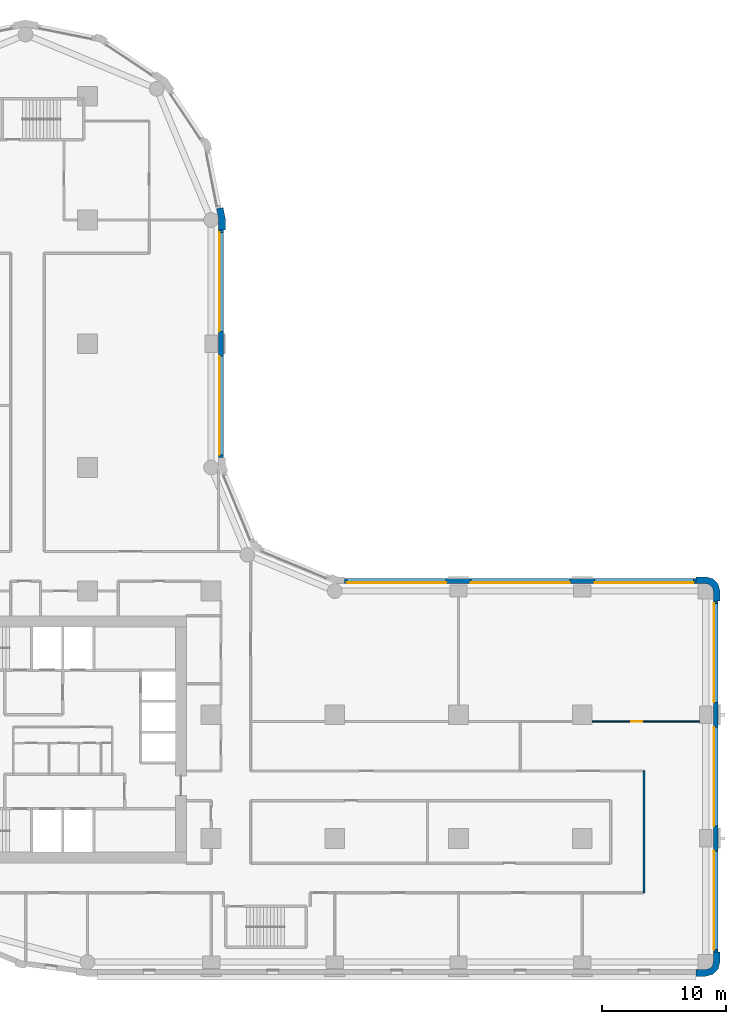
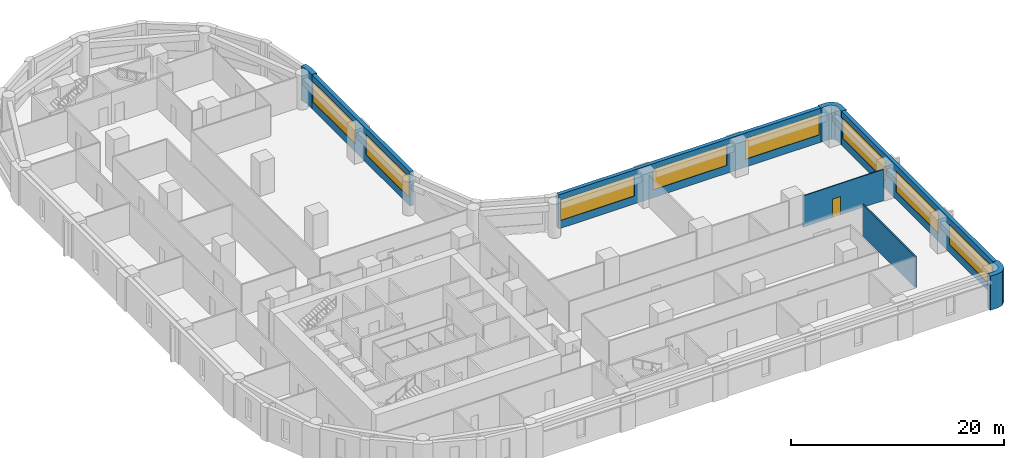
# One storey, part 7 of 11: 8 walls, 8 windows, 1 door, 9 openings.
"""IFC4 building model written with IfcOpenShell, lengths in metres."""

from ifc_helpers import new_model, si_unit, direction, frame, frame_2d, origin, place, context, subcontext, project, spatial, polyline, rectangle, outline, extrude, material, layer, layer_set, type_object, element, fill, save


model = new_model("IFC4")

# Units and contexts
model_context = context("Model", 3, precision=1e-05, world=origin(), true_north=direction((0.0, 1.0)))
body_context = subcontext(model_context, "Body", "Model", "MODEL_VIEW")
ifc_project = project(units=[si_unit("LENGTHUNIT", "METRE"), si_unit("AREAUNIT", "SQUARE_METRE"), si_unit("VOLUMEUNIT", "CUBIC_METRE"), si_unit("PLANEANGLEUNIT", "RADIAN"), si_unit("MASSUNIT", "GRAM", prefix="KILO")], contexts=[model_context])

# Site, building, storey
site_placement = place(None, origin())
site = spatial("IfcSite", under=ifc_project, at=site_placement, CompositionType="ELEMENT")
building_placement = place(site_placement, origin())
building = spatial("IfcBuilding", under=site, at=building_placement, Name="Qaws Garden Tower", CompositionType="ELEMENT")
storey_placement = place(building_placement, frame((0.0, 0.0, 27.60009765625)))
storey = spatial("IfcBuildingStorey", under=building, at=storey_placement, Name="L06", CompositionType="ELEMENT", Elevation=27.60009765625)

# Walls
ifc_material_1 = material(Name="Clay facing brick masonry", Category="masonry")
ifc_layer_1 = layer(ifc_material_1, 0.550048828125)
ifc_layer_set_1 = layer_set([ifc_layer_1], Name="Clay facing brick masonry")
wall_type_1 = type_object("IfcWallType", Name="Brick corner pier 550 x 2400", PredefinedType="SOLIDWALL", material=ifc_layer_set_1)
placement = place(storey_placement, origin())
element("IfcWall", 1, at=placement, inside=storey, type_object=wall_type_1, Name="E-L06-pier-05", PredefinedType="SOLIDWALL", context=body_context, shape_type="SweptSolid", body=[
    extrude(outline(polyline([(69.199951171875, -1.0), (69.199951171875, -1.14990234375), (70.0, -1.14990234375), (70.574951171875, -0.995849609375), (70.995849609375, -0.574951171875), (71.14990234375, 0.0), (71.14990234375, 0.800048828125), (71.0, 0.800048828125), (70.60009765625, 0.800048828125), (70.60009765625, 0.0), (70.51953125, -0.300048828125), (70.300048828125, -0.51953125), (70.0, -0.60009765625), (69.199951171875, -0.60009765625), (69.199951171875, -1.0)])), origin(), (0.0, 0.0, 1.0), 3.89990234375),
])
element("IfcWall", 2, at=placement, inside=storey, type_object=wall_type_1, Name="E-L06-pier-08", PredefinedType="SOLIDWALL", context=body_context, shape_type="SweptSolid", body=[
    extrude(outline(polyline([(71.0, 29.199951171875), (71.14990234375, 29.199951171875), (71.14990234375, 30.0), (70.995849609375, 30.574951171875), (70.574951171875, 30.995849609375), (70.0, 31.14990234375), (69.199951171875, 31.14990234375), (69.199951171875, 31.0), (69.199951171875, 30.60009765625), (70.0, 30.60009765625), (70.300048828125, 30.51953125), (70.51953125, 30.300048828125), (70.60009765625, 30.0), (70.60009765625, 29.199951171875), (71.0, 29.199951171875)])), origin(), (0.0, 0.0, 1.0), 3.89990234375),
])

# Wall, openings, windows
ifc_material_2 = material(Name="Clay facing brick masonry", Category="masonry")
ifc_layer_2 = layer(ifc_material_2, 0.39990234375)
ifc_layer_set_2 = layer_set([ifc_layer_2], Name="Clay facing brick masonry")
wall_type_2 = type_object("IfcWallType", Name="Brick infill wall 400", PredefinedType="SOLIDWALL", material=ifc_layer_set_2)
wall_3_placement = place(storey_placement, frame((70.800048828125, 0.800048828125, 0.0), z_axis=(0.0, 0.0, 1.0), x_axis=(0.0, 1.0, 0.0)))
wall_3 = element("IfcWall", 3, at=wall_3_placement, inside=storey, type_object=wall_type_2, Name="E-L06-infill-05", PredefinedType="SOLIDWALL", context=body_context, shape_type="SweptSolid", body=[
    extrude(rectangle(XDim=28.39990234375, YDim=0.39990234375, at=frame_2d((14.199951171875, 0.0))), origin(), (0.0, 0.0, 1.0), 3.89990234375),
])
opening_1_placement = place(wall_3_placement, frame((0.199951171875, 0.0, 0.89990234375)))
opening_1 = element("IfcOpeningElement", 4, at=opening_1_placement, cuts=wall_3, Name="Opening W01", PredefinedType="OPENING", context=body_context, shape_type="SweptSolid", body=[
    extrude(rectangle(XDim=8.0, YDim=2.35009765625, at=frame_2d((4.0, 1.175048828125))), frame((0.0, 0.2099609375, 0.0), z_axis=(0.0, -1.0, 0.0), x_axis=(1.0, 0.0, 0.0)), (0.0, 0.0, 1.0), 0.419921875),
])
opening_2_placement = place(wall_3_placement, frame((10.199951171875, 0.0, 0.89990234375)))
opening_2 = element("IfcOpeningElement", 5, at=opening_2_placement, cuts=wall_3, Name="Opening W01", PredefinedType="OPENING", context=body_context, shape_type="SweptSolid", body=[
    extrude(rectangle(XDim=8.0, YDim=2.35009765625, at=frame_2d((4.0, 1.175048828125))), frame((0.0, 0.2099609375, 0.0), z_axis=(0.0, -1.0, 0.0), x_axis=(1.0, 0.0, 0.0)), (0.0, 0.0, 1.0), 0.419921875),
])
opening_3_placement = place(wall_3_placement, frame((20.199951171875, 0.0, 0.89990234375)))
opening_3 = element("IfcOpeningElement", 6, at=opening_3_placement, cuts=wall_3, Name="Opening W01", PredefinedType="OPENING", context=body_context, shape_type="SweptSolid", body=[
    extrude(rectangle(XDim=8.0, YDim=2.35009765625, at=frame_2d((4.0, 1.175048828125))), frame((0.0, 0.2099609375, 0.0), z_axis=(0.0, -1.0, 0.0), x_axis=(1.0, 0.0, 0.0)), (0.0, 0.0, 1.0), 0.419921875),
])
ifc_material_3 = material(Name="Aluminium framed window, clear glazing", Category="aluminium")
window_type = type_object("IfcWindowType", Name="Ribbon window 8000 x 2350", PartitioningType="DOUBLE_PANEL_VERTICAL", PredefinedType="WINDOW", material=ifc_material_3)
window_1_placement = place(opening_1_placement, origin())
window_1 = element("IfcWindow", 7, at=window_1_placement, inside=storey, type_object=window_type, Name="E-L06-window-05-0", OverallHeight=2.35009765625, OverallWidth=8.0, PartitioningType="SINGLE_PANEL", PredefinedType="WINDOW", context=body_context, shape_type="SweptSolid", body=[
    extrude(rectangle(XDim=8.0, YDim=2.35009765625, at=frame_2d((4.0, 1.175048828125))), frame((0.0, 0.159912109375, 0.0), z_axis=(0.0, -1.0, 0.0), x_axis=(1.0, 0.0, 0.0)), (0.0, 0.0, 1.0), 0.06005859375),
])
fill(opening_1, window_1)
window_2_placement = place(opening_2_placement, origin())
window_2 = element("IfcWindow", 8, at=window_2_placement, inside=storey, type_object=window_type, Name="E-L06-window-06-0", OverallHeight=2.35009765625, OverallWidth=8.0, PartitioningType="SINGLE_PANEL", PredefinedType="WINDOW", context=body_context, shape_type="SweptSolid", body=[
    extrude(rectangle(XDim=8.0, YDim=2.35009765625, at=frame_2d((4.0, 1.175048828125))), frame((0.0, 0.159912109375, 0.0), z_axis=(0.0, -1.0, 0.0), x_axis=(1.0, 0.0, 0.0)), (0.0, 0.0, 1.0), 0.06005859375),
])
fill(opening_2, window_2)
window_3_placement = place(opening_3_placement, origin())
window_3 = element("IfcWindow", 9, at=window_3_placement, inside=storey, type_object=window_type, Name="E-L06-window-07-0", OverallHeight=2.35009765625, OverallWidth=8.0, PartitioningType="SINGLE_PANEL", PredefinedType="WINDOW", context=body_context, shape_type="SweptSolid", body=[
    extrude(rectangle(XDim=8.0, YDim=2.35009765625, at=frame_2d((4.0, 1.175048828125))), frame((0.0, 0.159912109375, 0.0), z_axis=(0.0, -1.0, 0.0), x_axis=(1.0, 0.0, 0.0)), (0.0, 0.0, 1.0), 0.06005859375),
])
fill(opening_3, window_3)

wall_4_placement = place(storey_placement, frame((69.199951171875, 30.800048828125, 0.0), z_axis=(0.0, 0.0, 1.0), x_axis=(-1.0, 0.0, 0.0)))
wall_4 = element("IfcWall", 10, at=wall_4_placement, inside=storey, type_object=wall_type_2, Name="E-L06-infill-08", PredefinedType="SOLIDWALL", context=body_context, shape_type="SweptSolid", body=[
    extrude(rectangle(XDim=28.39990234375, YDim=0.39990234375, at=frame_2d((14.199951171875, 0.0))), origin(), (0.0, 0.0, 1.0), 3.89990234375),
])
opening_4_placement = place(wall_4_placement, frame((0.199951171875, 0.0, 0.89990234375)))
opening_4 = element("IfcOpeningElement", 11, at=opening_4_placement, cuts=wall_4, Name="Opening W01", PredefinedType="OPENING", context=body_context, shape_type="SweptSolid", body=[
    extrude(rectangle(XDim=8.0, YDim=2.35009765625, at=frame_2d((4.0, 1.175048828125))), frame((0.0, 0.2099609375, 0.0), z_axis=(0.0, -1.0, 0.0), x_axis=(1.0, 0.0, 0.0)), (0.0, 0.0, 1.0), 0.419921875),
])
opening_5_placement = place(wall_4_placement, frame((10.199951171875, 0.0, 0.89990234375)))
opening_5 = element("IfcOpeningElement", 12, at=opening_5_placement, cuts=wall_4, Name="Opening W01", PredefinedType="OPENING", context=body_context, shape_type="SweptSolid", body=[
    extrude(rectangle(XDim=8.0, YDim=2.35009765625, at=frame_2d((4.0, 1.175048828125))), frame((0.0, 0.2099609375, 0.0), z_axis=(0.0, -1.0, 0.0), x_axis=(1.0, 0.0, 0.0)), (0.0, 0.0, 1.0), 0.419921875),
])
opening_6_placement = place(wall_4_placement, frame((20.199951171875, 0.0, 0.89990234375)))
opening_6 = element("IfcOpeningElement", 13, at=opening_6_placement, cuts=wall_4, Name="Opening W01", PredefinedType="OPENING", context=body_context, shape_type="SweptSolid", body=[
    extrude(rectangle(XDim=8.0, YDim=2.35009765625, at=frame_2d((4.0, 1.175048828125))), frame((0.0, 0.2099609375, 0.0), z_axis=(0.0, -1.0, 0.0), x_axis=(1.0, 0.0, 0.0)), (0.0, 0.0, 1.0), 0.419921875),
])
window_4_placement = place(opening_4_placement, origin())
window_4 = element("IfcWindow", 14, at=window_4_placement, inside=storey, type_object=window_type, Name="E-L06-window-08-0", OverallHeight=2.35009765625, OverallWidth=8.0, PartitioningType="SINGLE_PANEL", PredefinedType="WINDOW", context=body_context, shape_type="SweptSolid", body=[
    extrude(rectangle(XDim=8.0, YDim=2.35009765625, at=frame_2d((4.0, 1.175048828125))), frame((0.0, 0.159912109375, 0.0), z_axis=(0.0, -1.0, 0.0), x_axis=(1.0, 0.0, 0.0)), (0.0, 0.0, 1.0), 0.06005859375),
])
fill(opening_4, window_4)
window_5_placement = place(opening_5_placement, origin())
window_5 = element("IfcWindow", 15, at=window_5_placement, inside=storey, type_object=window_type, Name="E-L06-window-09-0", OverallHeight=2.35009765625, OverallWidth=8.0, PartitioningType="SINGLE_PANEL", PredefinedType="WINDOW", context=body_context, shape_type="SweptSolid", body=[
    extrude(rectangle(XDim=8.0, YDim=2.35009765625, at=frame_2d((4.0, 1.175048828125))), frame((0.0, 0.159912109375, 0.0), z_axis=(0.0, -1.0, 0.0), x_axis=(1.0, 0.0, 0.0)), (0.0, 0.0, 1.0), 0.06005859375),
])
fill(opening_5, window_5)
window_6_placement = place(opening_6_placement, origin())
window_6 = element("IfcWindow", 16, at=window_6_placement, inside=storey, type_object=window_type, Name="E-L06-window-10-0", OverallHeight=2.35009765625, OverallWidth=8.0, PartitioningType="SINGLE_PANEL", PredefinedType="WINDOW", context=body_context, shape_type="SweptSolid", body=[
    extrude(rectangle(XDim=8.0, YDim=2.35009765625, at=frame_2d((4.0, 1.175048828125))), frame((0.0, 0.159912109375, 0.0), z_axis=(0.0, -1.0, 0.0), x_axis=(1.0, 0.0, 0.0)), (0.0, 0.0, 1.0), 0.06005859375),
])
fill(opening_6, window_6)

wall_5_placement = place(storey_placement, frame((30.800048828125, 40.800048828125, 0.0), z_axis=(0.0, 0.0, 1.0), x_axis=(0.0, 1.0, 0.0)))
wall_5 = element("IfcWall", 17, at=wall_5_placement, inside=storey, type_object=wall_type_2, Name="E-L06-infill-13", PredefinedType="SOLIDWALL", context=body_context, shape_type="SweptSolid", body=[
    extrude(rectangle(XDim=18.39990234375, YDim=0.39990234375, at=frame_2d((9.199951171875, 0.0))), origin(), (0.0, 0.0, 1.0), 3.89990234375),
])
opening_7_placement = place(wall_5_placement, frame((0.199951171875, 0.0, 0.89990234375)))
opening_7 = element("IfcOpeningElement", 18, at=opening_7_placement, cuts=wall_5, Name="Opening W01", PredefinedType="OPENING", context=body_context, shape_type="SweptSolid", body=[
    extrude(rectangle(XDim=8.0, YDim=2.35009765625, at=frame_2d((4.0, 1.175048828125))), frame((0.0, 0.2099609375, 0.0), z_axis=(0.0, -1.0, 0.0), x_axis=(1.0, 0.0, 0.0)), (0.0, 0.0, 1.0), 0.419921875),
])
opening_8_placement = place(wall_5_placement, frame((10.199951171875, 0.0, 0.89990234375)))
opening_8 = element("IfcOpeningElement", 19, at=opening_8_placement, cuts=wall_5, Name="Opening W01", PredefinedType="OPENING", context=body_context, shape_type="SweptSolid", body=[
    extrude(rectangle(XDim=8.0, YDim=2.35009765625, at=frame_2d((4.0, 1.175048828125))), frame((0.0, 0.2099609375, 0.0), z_axis=(0.0, -1.0, 0.0), x_axis=(1.0, 0.0, 0.0)), (0.0, 0.0, 1.0), 0.419921875),
])
window_7_placement = place(opening_7_placement, origin())
window_7 = element("IfcWindow", 20, at=window_7_placement, inside=storey, type_object=window_type, Name="E-L06-window-13-0", OverallHeight=2.35009765625, OverallWidth=8.0, PartitioningType="SINGLE_PANEL", PredefinedType="WINDOW", context=body_context, shape_type="SweptSolid", body=[
    extrude(rectangle(XDim=8.0, YDim=2.35009765625, at=frame_2d((4.0, 1.175048828125))), frame((0.0, 0.159912109375, 0.0), z_axis=(0.0, -1.0, 0.0), x_axis=(1.0, 0.0, 0.0)), (0.0, 0.0, 1.0), 0.06005859375),
])
fill(opening_7, window_7)
window_8_placement = place(opening_8_placement, origin())
window_8 = element("IfcWindow", 21, at=window_8_placement, inside=storey, type_object=window_type, Name="E-L06-window-14-0", OverallHeight=2.35009765625, OverallWidth=8.0, PartitioningType="SINGLE_PANEL", PredefinedType="WINDOW", context=body_context, shape_type="SweptSolid", body=[
    extrude(rectangle(XDim=8.0, YDim=2.35009765625, at=frame_2d((4.0, 1.175048828125))), frame((0.0, 0.159912109375, 0.0), z_axis=(0.0, -1.0, 0.0), x_axis=(1.0, 0.0, 0.0)), (0.0, 0.0, 1.0), 0.06005859375),
])
fill(opening_8, window_8)

# Wall
ifc_material_4 = material(Name="Clay facing brick masonry", Category="masonry")
ifc_layer_3 = layer(ifc_material_4, 0.550048828125)
ifc_layer_set_3 = layer_set([ifc_layer_3], Name="Clay facing brick masonry")
wall_type_3 = type_object("IfcWallType", Name="Brick pier 550 x 1600", PredefinedType="SOLIDWALL", material=ifc_layer_set_3)
element("IfcWall", 22, at=placement, inside=storey, type_object=wall_type_3, Name="E-L06-pier-15", PredefinedType="SOLIDWALL", context=body_context, shape_type="SweptSolid", body=[
    extrude(outline(polyline([(31.0, 59.199951171875), (31.14990234375, 59.199951171875), (31.14990234375, 60.11328125), (30.971923828125, 61.009033203125), (30.82470703125, 60.979736328125), (30.432373046875, 60.901611328125), (30.60009765625, 60.05908203125), (30.60009765625, 59.199951171875), (31.0, 59.199951171875)])), origin(), (0.0, 0.0, 1.0), 3.89990234375),
])

# Wall, opening, door
ifc_material_5 = material(Name="Gypsum board partition")
ifc_layer_4 = layer(ifc_material_5, 0.10009765625)
ifc_layer_set_4 = layer_set([ifc_layer_4], Name="Gypsum board partition")
wall_type_4 = type_object("IfcWallType", Name="PARTITION 100", PredefinedType="PARTITIONING", material=ifc_layer_set_4)
wall_7_placement = place(storey_placement, frame((60.800048828125, 19.449951171875, 0.0), z_axis=(0.0, 0.0, 1.0), x_axis=(1.0, 0.0, 0.0)))
wall_7 = element("IfcWall", 23, at=wall_7_placement, inside=storey, type_object=wall_type_4, Name="O-L06-wall-003", PredefinedType="PARTITIONING", context=body_context, shape_type="SweptSolid", body=[
    extrude(rectangle(XDim=8.699951171875, YDim=0.10009765625, at=frame_2d((4.35009765625, 0.0))), origin(), (0.0, 0.0, 1.0), 3.579833984375),
])
opening_9_placement = place(wall_7_placement, frame((3.14990234375, 0.0, 0.0)))
opening_9 = element("IfcOpeningElement", 24, at=opening_9_placement, cuts=wall_7, Name="Opening A230", PredefinedType="OPENING", context=body_context, shape_type="SweptSolid", body=[
    extrude(rectangle(XDim=0.89990234375, YDim=2.10009765625, at=frame_2d((0.449951171875, 1.050048828125))), frame((0.0, 0.06005859375, 0.0), z_axis=(0.0, -1.0, 0.0), x_axis=(1.0, 0.0, 0.0)), (0.0, 0.0, 1.0), 0.1201171875),
])
ifc_material_6 = material(Name="Timber door leaf", Category="wood")
door_type = type_object("IfcDoorType", Name="OFFICE DOOR 900 X 2100", OperationType="SINGLE_SWING_LEFT", PredefinedType="DOOR", material=ifc_material_6)
door_placement = place(opening_9_placement, frame((0.89990234375, 0.0, 0.0), z_axis=(0.0, 0.0, 1.0), x_axis=(-1.0, 0.0, 0.0)))
door = element("IfcDoor", 25, at=door_placement, inside=storey, type_object=door_type, Name="O-L06-door-030", OperationType="SINGLE_SWING_RIGHT", OverallHeight=2.10009765625, OverallWidth=0.89990234375, PredefinedType="DOOR", context=body_context, shape_type="SweptSolid", body=[
    extrude(rectangle(XDim=0.89990234375, YDim=2.10009765625, at=frame_2d((0.449951171875, 1.050048828125))), frame((0.0, 0.02490234375, 0.0), z_axis=(0.0, -1.0, 0.0), x_axis=(1.0, 0.0, 0.0)), (0.0, 0.0, 1.0), 0.050048828125),
])
fill(opening_9, door)

# Wall
ifc_material_7 = material(Name="Gypsum board partition")
ifc_layer_5 = layer(ifc_material_7, 0.14990234375)
ifc_layer_set_5 = layer_set([ifc_layer_5], Name="Gypsum board partition")
wall_type_5 = type_object("IfcWallType", Name="PARTITION 150 EI 60", PredefinedType="PARTITIONING", material=ifc_layer_set_5)
wall_8_placement = place(storey_placement, frame((65.0, 5.60009765625, 0.0), z_axis=(0.0, 0.0, 1.0), x_axis=(0.0, 1.0, 0.0)))
element("IfcWall", 26, at=wall_8_placement, inside=storey, type_object=wall_type_5, Name="O-L06-wall-035", PredefinedType="PARTITIONING", context=body_context, shape_type="SweptSolid", body=[
    extrude(rectangle(XDim=9.849853515625, YDim=0.14990234375, at=frame_2d((4.9248046875, 0.0))), origin(), (0.0, 0.0, 1.0), 3.579833984375),
])

save(model, "model.ifc")
